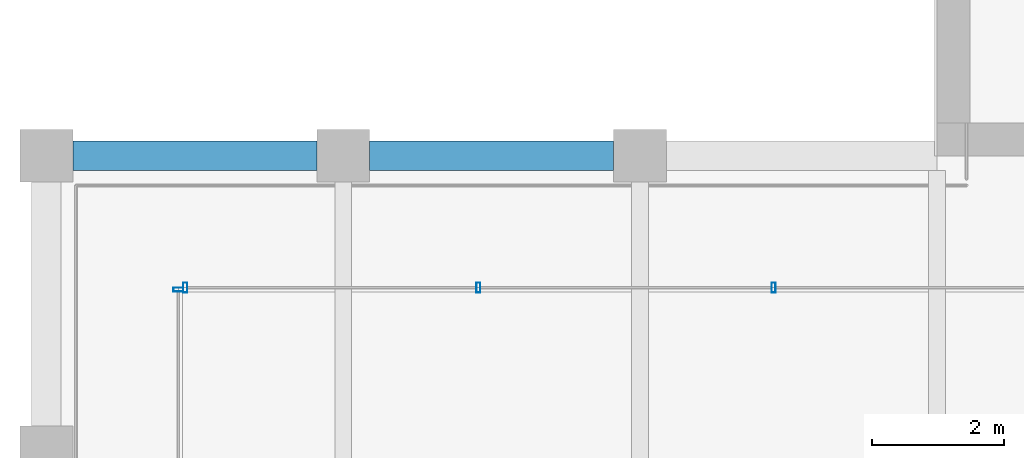
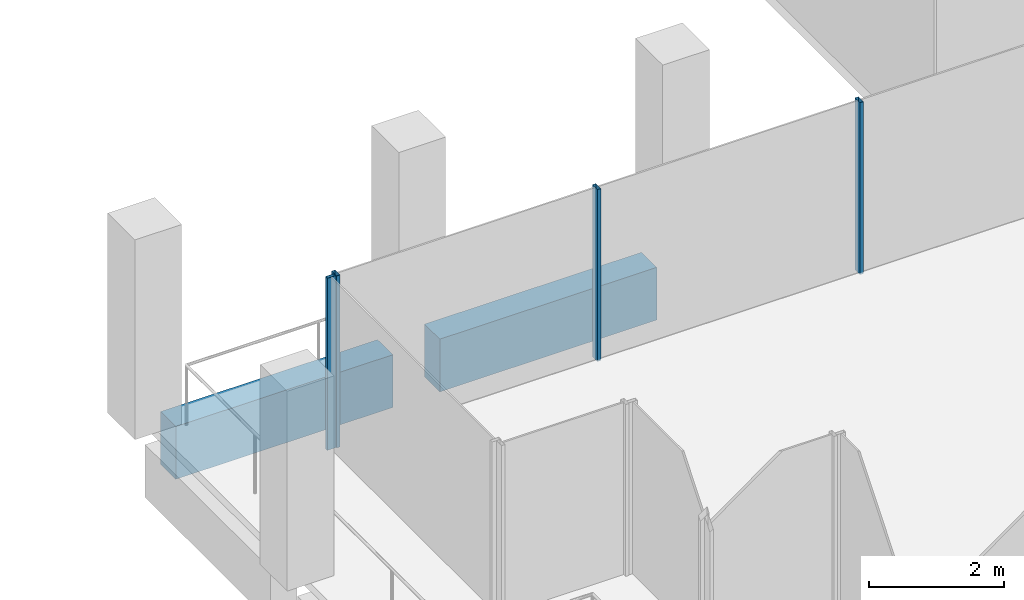
# One storey, part 5 of 30: 4 members, 2 beams, 2 elements without a shape of their own.
"""IFC4 building model written with IfcOpenShell, lengths in metres."""

from ifc_helpers import new_model, si_unit, direction, frame, origin, origin_2d, place, context, subcontext, project, spatial, rectangle, hollow_rectangle, extrude, material, material_profile, profile_set, type_object, element, aggregate, save


model = new_model("IFC4")

# Units and contexts
model_context = context("Model", 3, precision=1e-05, world=origin(), true_north=direction((0.0, 1.0)))
body_context = subcontext(model_context, "Body", "Model", "MODEL_VIEW")
ifc_project = project(units=[si_unit("LENGTHUNIT", "METRE"), si_unit("AREAUNIT", "SQUARE_METRE"), si_unit("VOLUMEUNIT", "CUBIC_METRE"), si_unit("PLANEANGLEUNIT", "RADIAN"), si_unit("MASSUNIT", "GRAM", prefix="KILO")], contexts=[model_context])

# Site, building, storey
site_placement = place(None, origin())
site = spatial("IfcSite", under=ifc_project, at=site_placement, CompositionType="ELEMENT")
building_placement = place(site_placement, origin())
building = spatial("IfcBuilding", under=site, at=building_placement, Name="Altepetl Exchange Towers", CompositionType="ELEMENT")
storey_placement = place(building_placement, frame((0.0, 0.0, 213.60009765625)))
storey = spatial("IfcBuildingStorey", under=building, at=storey_placement, Name="L54", CompositionType="ELEMENT", Elevation=213.60009765625)

# Curtain wall, members
ifc_material_1 = material(Name="Aluminium 6063-T6 glazing", Category="aluminium")
curtain_wall_type = type_object("IfcCurtainWallType", Name="Loggia glazing system", PredefinedType="NOTDEFINED", material=ifc_material_1)
curtain_wall_1_placement = place(storey_placement, origin())
curtain_wall_1 = element("IfcCurtainWall", 1, at=curtain_wall_1_placement, inside=storey, type_object=curtain_wall_type, Name="CW1 run", PredefinedType="NOTDEFINED")
ifc_material_2 = material(Name="Aluminium 6063-T6", Category="aluminium")
ifc_material_profile_1 = material_profile(ifc_material_2, hollow_rectangle(XDim=0.06005859375, YDim=0.14990234375, WallThickness=0.0029296875, at=origin_2d()), Name="Mullion 60x150 aluminium")
ifc_profile_set_1 = profile_set([ifc_material_profile_1], Name="Aluminium 6063-T6")
member_type = type_object("IfcMemberType", Name="Mullion 60x150 aluminium", PredefinedType="MULLION", material=ifc_profile_set_1)
member_1_placement = place(storey_placement, frame((38.02490234375, 38.5, 0.0), z_axis=(0.0, 0.0, 1.0), x_axis=(-1.0, 0.0, 0.0)))
member_1 = element("IfcMember", 2, at=member_1_placement, type_object=member_type, Name="MU1 mullion", PredefinedType="MULLION", context=body_context, shape_type="SweptSolid", body=[
    extrude(hollow_rectangle(XDim=0.06005859375, YDim=0.14990234375, WallThickness=0.0029296875, at=origin_2d()), origin(), (0.0, 0.0, 1.0), 3.099853515625),
])
member_2_placement = place(storey_placement, frame((33.550048828125, 38.5, 0.0), z_axis=(0.0, 0.0, 1.0), x_axis=(-1.0, 0.0, 0.0)))
member_2 = element("IfcMember", 3, at=member_2_placement, type_object=member_type, Name="MU1 mullion", PredefinedType="MULLION", context=body_context, shape_type="SweptSolid", body=[
    extrude(hollow_rectangle(XDim=0.06005859375, YDim=0.14990234375, WallThickness=0.0029296875, at=origin_2d()), origin(), (0.0, 0.0, 1.0), 3.099853515625),
])
member_3_placement = place(storey_placement, frame((29.10498046875, 38.5, 0.0), z_axis=(0.0, 0.0, 1.0), x_axis=(-1.0, 0.0, 0.0)))
member_3 = element("IfcMember", 4, at=member_3_placement, type_object=member_type, Name="MU1 mullion", PredefinedType="MULLION", context=body_context, shape_type="SweptSolid", body=[
    extrude(hollow_rectangle(XDim=0.06005859375, YDim=0.14990234375, WallThickness=0.0029296875, at=origin_2d()), origin(), (0.0, 0.0, 1.0), 3.099853515625),
])
aggregate(curtain_wall_1, [member_1, member_2, member_3])

# Curtain wall, member
curtain_wall_2_placement = place(storey_placement, origin())
curtain_wall_2 = element("IfcCurtainWall", 5, at=curtain_wall_2_placement, inside=storey, type_object=curtain_wall_type, Name="CW1 run", PredefinedType="NOTDEFINED")
member_4_placement = place(storey_placement, frame((29.0, 38.469970703125, 0.0), z_axis=(0.0, 0.0, 1.0), x_axis=(0.0, -1.0, 0.0)))
member_4 = element("IfcMember", 6, at=member_4_placement, type_object=member_type, Name="MU1 mullion", PredefinedType="MULLION", context=body_context, shape_type="SweptSolid", body=[
    extrude(hollow_rectangle(XDim=0.06005859375, YDim=0.14990234375, WallThickness=0.0029296875, at=origin_2d()), origin(), (0.0, 0.0, 1.0), 3.099853515625),
])
aggregate(curtain_wall_2, [member_4])

# Beams
ifc_material_3 = material(Name="Concrete C50/60 precast with tezontle facing", Category="concrete")
ifc_material_profile_2 = material_profile(ifc_material_3, rectangle(XDim=0.449951171875, YDim=0.949951171875, at=origin_2d()), Name="450 x 950")
ifc_profile_set_2 = profile_set([ifc_material_profile_2], Name="Concrete C50/60 precast with tezontle facing")
beam_type = type_object("IfcBeamType", Name="Spandrel beam 450x950 tezontle", PredefinedType="SPANDREL", material=ifc_profile_set_2)
for number, where, z_axis, x_axis, name in (
    (7, (35.60009765625, 40.5, -0.625), (-1.0, 0.0, 0.0), (0.0, -1.0, 0.0), "sp:A:L54:034"),
    (8, (31.10009765625, 40.5, -0.625), (-1.0, 0.0, 0.0), (0.0, -1.0, 0.0), "sp:A:L54:035"),
):
    element("IfcBeam", number, at=place(storey_placement, frame(where, z_axis=z_axis, x_axis=x_axis)), inside=storey, type_object=beam_type, Name=name, PredefinedType="SPANDREL", context=body_context, shape_type="SweptSolid", body=[
        extrude(rectangle(XDim=0.449951171875, YDim=0.949951171875, at=origin_2d()), origin(), (0.0, 0.0, 1.0), 3.7001953125),
    ])

save(model, "model.ifc")
